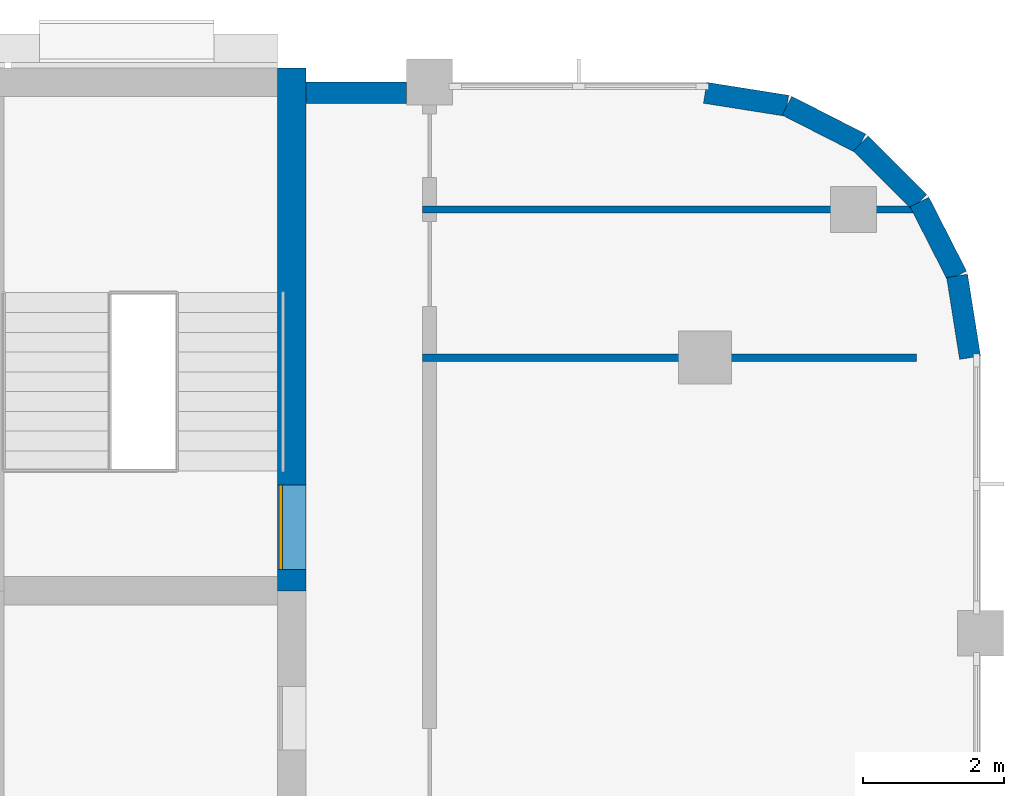
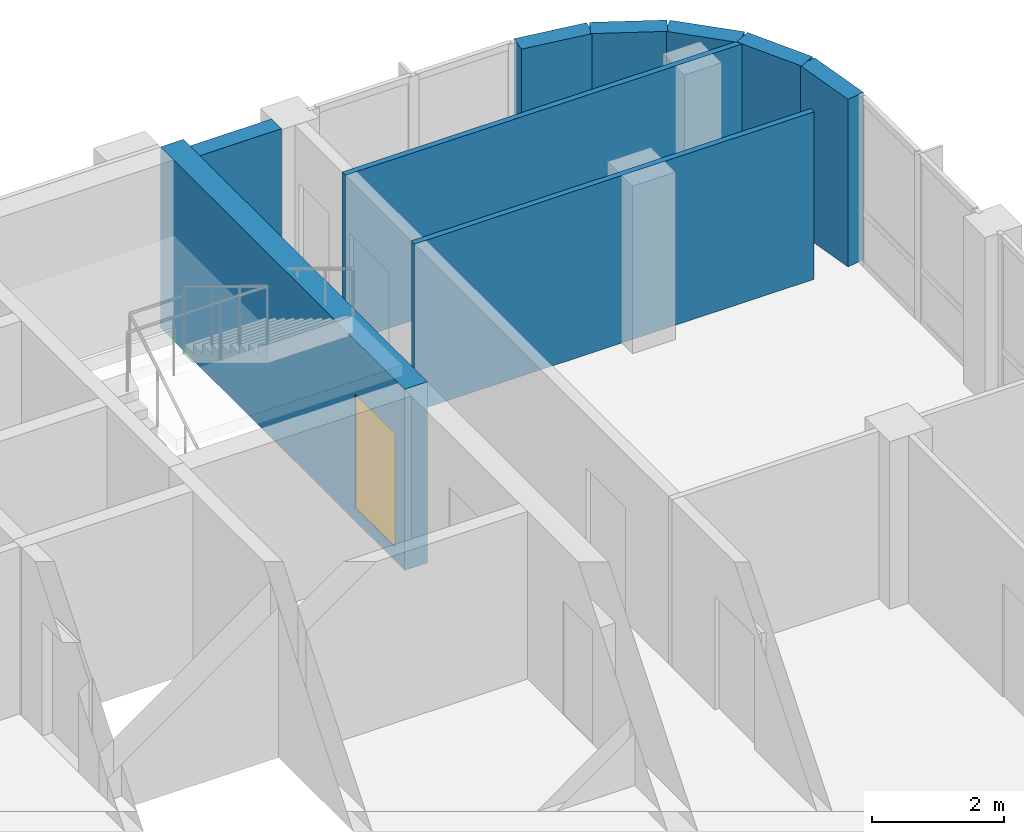
# One storey, part 12 of 17: 9 walls, 1 door, 1 opening.
"""IFC4 building model written with IfcOpenShell, lengths in metres."""

from ifc_helpers import new_model, si_unit, direction, frame, frame_2d, origin, place, context, subcontext, project, spatial, rectangle, extrude, material, layer, layer_set, type_object, element, fill, save


model = new_model("IFC4")

# Units and contexts
model_context = context("Model", 3, precision=1e-05, world=origin(), true_north=direction((0.0, 1.0)))
body_context = subcontext(model_context, "Body", "Model", "MODEL_VIEW")
ifc_project = project(units=[si_unit("LENGTHUNIT", "METRE"), si_unit("AREAUNIT", "SQUARE_METRE"), si_unit("VOLUMEUNIT", "CUBIC_METRE"), si_unit("PLANEANGLEUNIT", "RADIAN"), si_unit("MASSUNIT", "GRAM", prefix="KILO")], contexts=[model_context])

# Site, building, storey
site_placement = place(None, origin())
site = spatial("IfcSite", under=ifc_project, at=site_placement, CompositionType="ELEMENT")
building_placement = place(site_placement, origin())
building = spatial("IfcBuilding", under=site, at=building_placement, Name="Ludao Terraces", CompositionType="ELEMENT")
storey_placement = place(building_placement, frame((0.0, 0.0, 263.0)))
storey = spatial("IfcBuildingStorey", under=building, at=storey_placement, Name="L72", CompositionType="ELEMENT", Elevation=263.0)

# Wall, opening, door
ifc_material_1 = material(Name="Concrete C50", Category="concrete")
ifc_layer_1 = layer(ifc_material_1, 0.39990234375)
ifc_layer_set_1 = layer_set([ifc_layer_1], Name="Core wall 400 C50")
wall_type_1 = type_object("IfcWallType", Name="Core wall 400 C50", PredefinedType="SOLIDWALL", material=ifc_layer_set_1)
wall_1_placement = place(storey_placement, frame((94.75, 77.300048828125, -0.25), z_axis=(0.0, 0.0, 1.0), x_axis=(0.0, 1.0, 0.0)))
wall_1 = element("IfcWall", 1, at=wall_1_placement, inside=storey, type_object=wall_type_1, Name="Core wall L72 outer-E-S2", PredefinedType="SOLIDWALL", context=body_context, shape_type="SweptSolid", body=[
    extrude(rectangle(XDim=7.39990234375, YDim=0.39990234375, at=frame_2d((3.699951171875, 0.0))), origin(), (0.0, 0.0, 1.0), 3.35009765625),
])
opening_placement = place(wall_1_placement, frame((0.300048828125, 0.0, 0.25)))
opening = element("IfcOpeningElement", 2, at=opening_placement, cuts=wall_1, Name="Opening T1-048", PredefinedType="OPENING", context=body_context, shape_type="SweptSolid", body=[
    extrude(rectangle(XDim=1.199951171875, YDim=2.10009765625, at=frame_2d((0.60009765625, 1.050048828125))), frame((0.0, 0.2099609375, 0.0), z_axis=(0.0, -1.0, 0.0), x_axis=(1.0, 0.0, 0.0)), (0.0, 0.0, 1.0), 0.419921875),
])
ifc_material_2 = material(Name="Steel Q235", Category="steel")
door_type = type_object("IfcDoorType", Name="INT Stair door 1200", OperationType="DOUBLE_DOOR_SINGLE_SWING", PredefinedType="DOOR", material=ifc_material_2)
door_placement = place(opening_placement, origin())
door = element("IfcDoor", 3, at=door_placement, inside=storey, type_object=door_type, Name="DOOR 048", OperationType="DOUBLE_DOOR_SINGLE_SWING", OverallHeight=2.10009765625, OverallWidth=1.199951171875, PredefinedType="DOOR", context=body_context, shape_type="SweptSolid", body=[
    extrude(rectangle(XDim=1.199951171875, YDim=2.10009765625, at=frame_2d((0.60009765625, 1.050048828125))), frame((0.0, 0.18505859375, 0.0), z_axis=(0.0, -1.0, 0.0), x_axis=(1.0, 0.0, 0.0)), (0.0, 0.0, 1.0), 0.050048828125),
])
fill(opening, door)

# Walls
ifc_material_3 = material(Name="Granite cladding", Category="masonry")
ifc_layer_2 = layer(ifc_material_3, 0.0400390625, Category="stone")
ifc_material_4 = material(Name="Mineral wool")
ifc_layer_3 = layer(ifc_material_4, 0.06005859375)
ifc_material_5 = material(Name="Concrete C40", Category="concrete")
ifc_layer_4 = layer(ifc_material_5, 0.199951171875, Category="concrete")
ifc_layer_set_2 = layer_set([ifc_layer_2, ifc_layer_3, ifc_layer_4], Name="ENV Stone-clad wall 300")
wall_type_2 = type_object("IfcWallType", Name="ENV Stone-clad wall 300", PredefinedType="SOLIDWALL", material=ifc_layer_set_2)
wall_2_placement = place(storey_placement, frame((94.949951171875, 84.35009765625, 0.0), z_axis=(0.0, 0.0, 1.0), x_axis=(1.0, 0.0, 0.0)))
element("IfcWall", 4, at=wall_2_placement, inside=storey, type_object=wall_type_2, Name="EW-L72-N3", PredefinedType="SOLIDWALL", context=body_context, shape_type="SweptSolid", body=[
    extrude(rectangle(XDim=1.425048828125, YDim=0.300048828125, at=frame_2d((0.71240234375, 0.0))), origin(), (0.0, 0.0, 1.0), 3.10009765625),
])
wall_3_placement = place(storey_placement, frame((104.35009765625, 80.60009765625, 0.0), z_axis=(0.0, 0.0, 1.0), x_axis=(-0.156496880861, 0.987678452879, 0.0)))
element("IfcWall", 5, at=wall_3_placement, inside=storey, type_object=wall_type_2, Name="EW-L72-NE1", PredefinedType="SOLIDWALL", context=body_context, shape_type="SweptSolid", body=[
    extrude(rectangle(XDim=1.173095703125, YDim=0.300048828125, at=frame_2d((0.58642578125, 0.0))), origin(), (0.0, 0.0, 1.0), 3.10009765625),
])
wall_4_placement = place(storey_placement, frame((104.16650390625, 81.7587890625, 0.0), z_axis=(0.0, 0.0, 1.0), x_axis=(-0.454025524128, 0.890988677504, 0.0)))
element("IfcWall", 6, at=wall_4_placement, inside=storey, type_object=wall_type_2, Name="EW-L72-NE2", PredefinedType="SOLIDWALL", context=body_context, shape_type="SweptSolid", body=[
    extrude(rectangle(XDim=1.17333984375, YDim=0.300048828125, at=frame_2d((0.586669921875, 0.0))), origin(), (0.0, 0.0, 1.0), 3.10009765625),
])
wall_5_placement = place(storey_placement, frame((103.6337890625, 82.80419921875, 0.0), z_axis=(0.0, 0.0, 1.0), x_axis=(-0.707106781187, 0.707106781187, 0.0)))
element("IfcWall", 7, at=wall_5_placement, inside=storey, type_object=wall_type_2, Name="EW-L72-NE3", PredefinedType="SOLIDWALL", context=body_context, shape_type="SweptSolid", body=[
    extrude(rectangle(XDim=1.173095703125, YDim=0.300048828125, at=frame_2d((0.58642578125, 0.0))), origin(), (0.0, 0.0, 1.0), 3.10009765625),
])
wall_6_placement = place(storey_placement, frame((102.80419921875, 83.6337890625, 0.0), z_axis=(0.0, 0.0, 1.0), x_axis=(-0.890988677504, 0.454025524128, 0.0)))
element("IfcWall", 8, at=wall_6_placement, inside=storey, type_object=wall_type_2, Name="EW-L72-NE4", PredefinedType="SOLIDWALL", context=body_context, shape_type="SweptSolid", body=[
    extrude(rectangle(XDim=1.17333984375, YDim=0.300048828125, at=frame_2d((0.586669921875, 0.0))), origin(), (0.0, 0.0, 1.0), 3.10009765625),
])
wall_7_placement = place(storey_placement, frame((101.7587890625, 84.16650390625, 0.0), z_axis=(0.0, 0.0, 1.0), x_axis=(-0.987678452879, 0.156496880861, 0.0)))
element("IfcWall", 9, at=wall_7_placement, inside=storey, type_object=wall_type_2, Name="EW-L72-NE5", PredefinedType="SOLIDWALL", context=body_context, shape_type="SweptSolid", body=[
    extrude(rectangle(XDim=1.173095703125, YDim=0.300048828125, at=frame_2d((0.58642578125, 0.0))), origin(), (0.0, 0.0, 1.0), 3.10009765625),
])
ifc_material_6 = material(Name="Gypsum plasterboard", Category="gypsum")
ifc_layer_5 = layer(ifc_material_6, 0.012451171875, Category="gypsum")
ifc_layer_6 = layer(ifc_material_4, 0.06005859375, Name="insulation")
ifc_layer_7 = layer(ifc_material_2, 0.014892578125, Name="stud")
ifc_layer_8 = layer(ifc_material_6, 0.012451171875, Category="gypsum")
ifc_layer_set_3 = layer_set([ifc_layer_5, ifc_layer_6, ifc_layer_7, ifc_layer_8], Name="INT Partition 100")
wall_type_3 = type_object("IfcWallType", Name="INT Partition 100", PredefinedType="PARTITIONING", material=ifc_layer_set_3)
for number, where, z_axis, x_axis, name in (
    (10, (96.60009765625, 80.60009765625, 0.0), (0.0, 0.0, 1.0), (1.0, 0.0, 0.0), "PW-L72-PW015"),
    (11, (96.60009765625, 82.699951171875, 0.0), (0.0, 0.0, 1.0), (1.0, 0.0, 0.0), "PW-L72-PW016"),
):
    element("IfcWall", number, at=place(storey_placement, frame(where, z_axis=z_axis, x_axis=x_axis)), inside=storey, type_object=wall_type_3, Name=name, PredefinedType="PARTITIONING", context=body_context, shape_type="SweptSolid", body=[
        extrude(rectangle(XDim=6.989990234375, YDim=0.10009765625, at=frame_2d((3.4951171875, 0.0))), origin(), (0.0, 0.0, 1.0), 3.10009765625),
    ])

save(model, "model.ifc")
